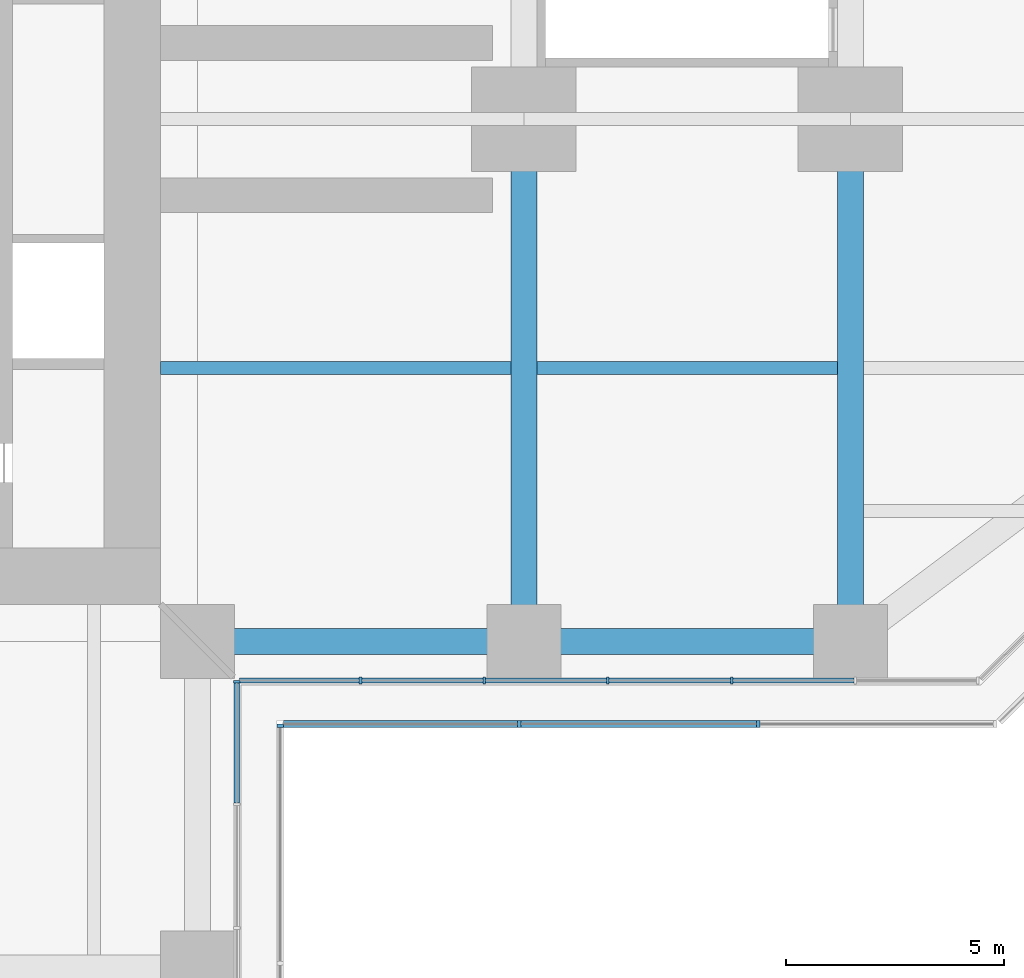
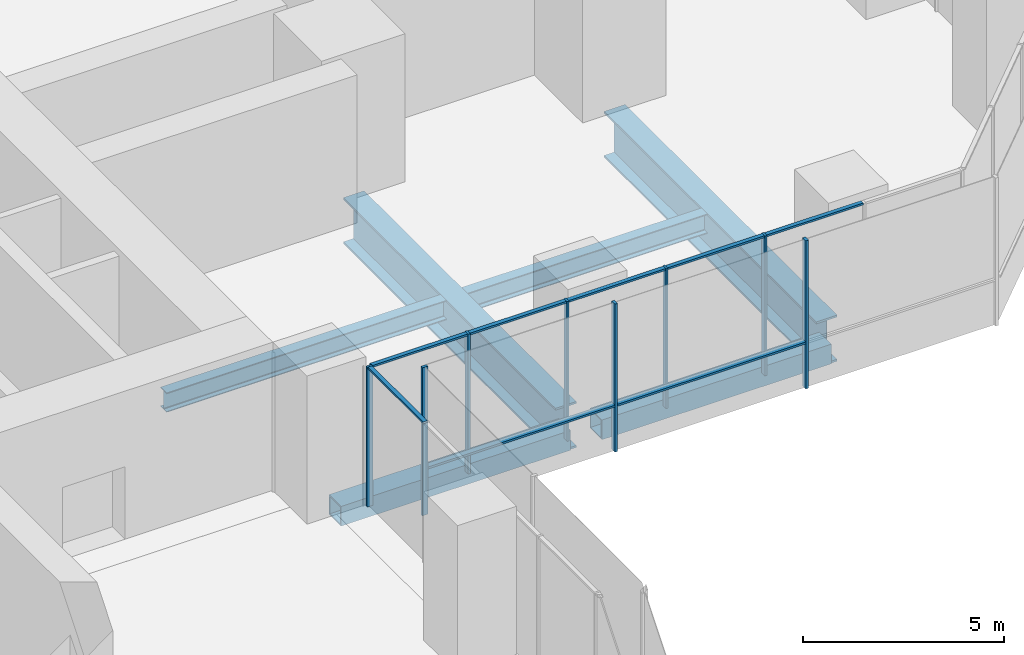
# One storey, part 6 of 21: 16 members, 6 beams, 4 elements without a shape of their own.
"""IFC4 building model written with IfcOpenShell, lengths in metres."""

from ifc_helpers import new_model, si_unit, direction, frame, origin, origin_2d, place, context, subcontext, project, spatial, rectangle, hollow_rectangle, i_section, extrude, material, material_profile, profile_set, type_object, element, aggregate, save


model = new_model("IFC4")

# Units and contexts
model_context = context("Model", 3, precision=1e-05, world=origin(), true_north=direction((0.0, 1.0)))
body_context = subcontext(model_context, "Body", "Model", "MODEL_VIEW")
ifc_project = project(units=[si_unit("LENGTHUNIT", "METRE"), si_unit("AREAUNIT", "SQUARE_METRE"), si_unit("VOLUMEUNIT", "CUBIC_METRE"), si_unit("PLANEANGLEUNIT", "RADIAN"), si_unit("MASSUNIT", "GRAM", prefix="KILO")], contexts=[model_context])

# Site, building, storey
site_placement = place(None, origin())
site = spatial("IfcSite", under=ifc_project, at=site_placement, CompositionType="ELEMENT")
building_placement = place(site_placement, origin())
building = spatial("IfcBuilding", under=site, at=building_placement, Name="Mizan Broadcast Tower", CompositionType="ELEMENT")
storey_placement = place(building_placement, frame((0.0, 0.0, 33.0)))
storey = spatial("IfcBuildingStorey", under=building, at=storey_placement, Name="L05", CompositionType="ELEMENT", Elevation=33.0)

# Beams
ifc_material_1 = material(Name="Steel S355", Category="steel")
ifc_material_profile_1 = material_profile(ifc_material_1, hollow_rectangle(XDim=0.60009765625, YDim=0.60009765625, WallThickness=0.0400390625, at=origin_2d()), Name="BOX 600x600x40")
ifc_profile_set_1 = profile_set([ifc_material_profile_1], Name="Steel S355")
beam_type_1 = type_object("IfcBeamType", Name="EDGE BEAM BOX 600x600x40", PredefinedType="SPANDREL", material=ifc_profile_set_1)
for number, where, z_axis, x_axis, name in (
    (1, (12.449951171875, -12.0, -0.550048828125), (1.0, 0.0, 0.0), (0.0, 1.0, 0.0), "Edge beam BOX 600x600x40 L05 east arm"),
    (2, (19.949951171875, -12.0, -0.550048828125), (1.0, 0.0, 0.0), (0.0, 1.0, 0.0), "Edge beam BOX 600x600x40 L05 east arm"),
):
    element("IfcBeam", number, at=place(storey_placement, frame(where, z_axis=z_axis, x_axis=x_axis)), inside=storey, type_object=beam_type_1, Name=name, PredefinedType="SPANDREL", context=body_context, shape_type="SweptSolid", body=[
        extrude(hollow_rectangle(XDim=0.60009765625, YDim=0.60009765625, WallThickness=0.0400390625, at=origin_2d()), origin(), (0.0, 0.0, 1.0), 6.60009765625),
    ])
ifc_material_2 = material(Name="Steel S460", Category="steel")
ifc_material_profile_2 = material_profile(ifc_material_2, i_section(OverallWidth=0.60009765625, OverallDepth=1.39990234375, WebThickness=0.02490234375, FlangeThickness=0.06005859375, at=origin_2d()), Name="WPG 1400x600")
ifc_profile_set_2 = profile_set([ifc_material_profile_2], Name="Steel S460")
beam_type_2 = type_object("IfcBeamType", Name="GIRDER WPG 1400x600", PredefinedType="BEAM", material=ifc_profile_set_2)
for number, where, z_axis, x_axis, name in (
    (3, (19.5, -11.280029296875, -0.949951171875), (0.0, 1.0, 0.0), (-1.0, 0.0, 0.0), "Girder WPG 1400x600 L05 east arm"),
    (4, (27.0, -11.280029296875, -0.949951171875), (0.0, 1.0, 0.0), (-1.0, 0.0, 0.0), "Girder WPG 1400x600 L05 east arm"),
):
    element("IfcBeam", number, at=place(storey_placement, frame(where, z_axis=z_axis, x_axis=x_axis)), inside=storey, type_object=beam_type_2, Name=name, PredefinedType="BEAM", context=body_context, shape_type="SweptSolid", body=[
        extrude(i_section(OverallWidth=0.60009765625, OverallDepth=1.39990234375, WebThickness=0.02490234375, FlangeThickness=0.06005859375, at=origin_2d()), origin(), (0.0, 0.0, 1.0), 10.56005859375),
    ])

# Curtain wall, members
ifc_material_3 = material(Name="Aluminium framed glazing", Category="aluminium")
curtain_wall_type_1 = type_object("IfcCurtainWallType", Name="PODIUM CURTAIN WALL", PredefinedType="USERDEFINED", material=ifc_material_3)
curtain_wall_1_placement = place(storey_placement, origin())
curtain_wall_1 = element("IfcCurtainWall", 5, at=curtain_wall_1_placement, inside=storey, type_object=curtain_wall_type_1, Name="Podium curtain wall L05 E side", ObjectType="PODIUM CURTAIN WALL", PredefinedType="USERDEFINED")
ifc_material_4 = material(Name="Aluminium, pale anodised", Category="aluminium")
ifc_material_profile_3 = material_profile(ifc_material_4, rectangle(XDim=0.159912109375, YDim=0.06005859375, at=origin_2d()), Name="MULLION 160x60")
ifc_profile_set_3 = profile_set([ifc_material_profile_3], Name="Aluminium, pale anodised")
member_type_1 = type_object("IfcMemberType", Name="INNER SKIN MULLION 60x160", PredefinedType="MULLION", material=ifc_profile_set_3)
member_1_placement = place(storey_placement, frame((15.7431640625, -12.89990234375, 0.0), z_axis=(0.0, 0.0, 1.0), x_axis=(0.0, 1.0, 0.0)))
member_1 = element("IfcMember", 6, at=member_1_placement, type_object=member_type_1, Name="Podium curtain wall L05 E side mullion 2", PredefinedType="MULLION", context=body_context, shape_type="SweptSolid", body=[
    extrude(rectangle(XDim=0.159912109375, YDim=0.06005859375, at=origin_2d()), origin(), (0.0, 0.0, 1.0), 4.25),
])
member_2_placement = place(storey_placement, frame((18.586181640625, -12.89990234375, 0.0), z_axis=(0.0, 0.0, 1.0), x_axis=(0.0, 1.0, 0.0)))
member_2 = element("IfcMember", 7, at=member_2_placement, type_object=member_type_1, Name="Podium curtain wall L05 E side mullion 3", PredefinedType="MULLION", context=body_context, shape_type="SweptSolid", body=[
    extrude(rectangle(XDim=0.159912109375, YDim=0.06005859375, at=origin_2d()), origin(), (0.0, 0.0, 1.0), 4.25),
])
member_3_placement = place(storey_placement, frame((21.42919921875, -12.89990234375, 0.0), z_axis=(0.0, 0.0, 1.0), x_axis=(0.0, 1.0, 0.0)))
member_3 = element("IfcMember", 8, at=member_3_placement, type_object=member_type_1, Name="Podium curtain wall L05 E side mullion 4", PredefinedType="MULLION", context=body_context, shape_type="SweptSolid", body=[
    extrude(rectangle(XDim=0.159912109375, YDim=0.06005859375, at=origin_2d()), origin(), (0.0, 0.0, 1.0), 4.25),
])
member_4_placement = place(storey_placement, frame((24.2724609375, -12.89990234375, 0.0), z_axis=(0.0, 0.0, 1.0), x_axis=(0.0, 1.0, 0.0)))
member_4 = element("IfcMember", 9, at=member_4_placement, type_object=member_type_1, Name="Podium curtain wall L05 E side mullion 5", PredefinedType="MULLION", context=body_context, shape_type="SweptSolid", body=[
    extrude(rectangle(XDim=0.159912109375, YDim=0.06005859375, at=origin_2d()), origin(), (0.0, 0.0, 1.0), 4.25),
])

# Curtain wall, member
curtain_wall_2_placement = place(storey_placement, origin())
curtain_wall_2 = element("IfcCurtainWall", 10, at=curtain_wall_2_placement, inside=storey, type_object=curtain_wall_type_1, Name="Podium curtain wall L05 S side", ObjectType="PODIUM CURTAIN WALL", PredefinedType="USERDEFINED")
member_5_placement = place(storey_placement, frame((12.89990234375, -12.929931640625, 0.0), z_axis=(0.0, 0.0, 1.0), x_axis=(-1.0, 0.0, 0.0)))
member_5 = element("IfcMember", 11, at=member_5_placement, type_object=member_type_1, Name="Podium curtain wall L05 S side mullion 7", PredefinedType="MULLION", context=body_context, shape_type="SweptSolid", body=[
    extrude(rectangle(XDim=0.159912109375, YDim=0.06005859375, at=origin_2d()), origin(), (0.0, 0.0, 1.0), 4.25),
])

# Member
ifc_material_5 = material(Name="Aluminium, pale anodised", Category="aluminium")
ifc_material_profile_4 = material_profile(ifc_material_5, rectangle(XDim=0.1201171875, YDim=0.06005859375, at=origin_2d()), Name="TRANSOM 120x60")
ifc_profile_set_4 = profile_set([ifc_material_profile_4], Name="Aluminium, pale anodised")
member_type_2 = type_object("IfcMemberType", Name="INNER SKIN TRANSOM 60x120", PredefinedType="USERDEFINED", material=ifc_profile_set_4)
member_6_placement = place(storey_placement, frame((12.9599609375, -12.89990234375, 4.219970703125), z_axis=(1.0, 0.0, 0.0), x_axis=(0.0, 1.0, 0.0)))
member_6 = element("IfcMember", 12, at=member_6_placement, type_object=member_type_2, Name="Podium curtain wall L05 E side transom 1.1", ObjectType="TRANSOM", PredefinedType="USERDEFINED", context=body_context, shape_type="SweptSolid", body=[
    extrude(rectangle(XDim=0.1201171875, YDim=0.06005859375, at=origin_2d()), origin(), (0.0, 0.0, 1.0), 2.753173828125),
])

member_7_placement = place(storey_placement, frame((15.773193359375, -12.89990234375, 4.219970703125), z_axis=(1.0, 0.0, 0.0), x_axis=(0.0, 1.0, 0.0)))
member_7 = element("IfcMember", 13, at=member_7_placement, type_object=member_type_2, Name="Podium curtain wall L05 E side transom 2.1", ObjectType="TRANSOM", PredefinedType="USERDEFINED", context=body_context, shape_type="SweptSolid", body=[
    extrude(rectangle(XDim=0.1201171875, YDim=0.06005859375, at=origin_2d()), origin(), (0.0, 0.0, 1.0), 2.782958984375),
])

member_8_placement = place(storey_placement, frame((18.6162109375, -12.89990234375, 4.219970703125), z_axis=(1.0, 0.0, 0.0), x_axis=(0.0, 1.0, 0.0)))
member_8 = element("IfcMember", 14, at=member_8_placement, type_object=member_type_2, Name="Podium curtain wall L05 E side transom 3.1", ObjectType="TRANSOM", PredefinedType="USERDEFINED", context=body_context, shape_type="SweptSolid", body=[
    extrude(rectangle(XDim=0.1201171875, YDim=0.06005859375, at=origin_2d()), origin(), (0.0, 0.0, 1.0), 2.782958984375),
])

member_9_placement = place(storey_placement, frame((21.459228515625, -12.89990234375, 4.219970703125), z_axis=(1.0, 0.0, 0.0), x_axis=(0.0, 1.0, 0.0)))
member_9 = element("IfcMember", 15, at=member_9_placement, type_object=member_type_2, Name="Podium curtain wall L05 E side transom 4.1", ObjectType="TRANSOM", PredefinedType="USERDEFINED", context=body_context, shape_type="SweptSolid", body=[
    extrude(rectangle(XDim=0.1201171875, YDim=0.06005859375, at=origin_2d()), origin(), (0.0, 0.0, 1.0), 2.783203125),
])

member_10_placement = place(storey_placement, frame((24.302490234375, -12.89990234375, 4.219970703125), z_axis=(1.0, 0.0, 0.0), x_axis=(0.0, 1.0, 0.0)))
member_10 = element("IfcMember", 16, at=member_10_placement, type_object=member_type_2, Name="Podium curtain wall L05 E side transom 5.1", ObjectType="TRANSOM", PredefinedType="USERDEFINED", context=body_context, shape_type="SweptSolid", body=[
    extrude(rectangle(XDim=0.1201171875, YDim=0.06005859375, at=origin_2d()), origin(), (0.0, 0.0, 1.0), 2.782958984375),
])

aggregate(curtain_wall_1, [member_1, member_2, member_3, member_4, member_6, member_7, member_8, member_9, member_10])

member_11_placement = place(storey_placement, frame((12.89990234375, -15.713134765625, 4.219970703125), z_axis=(0.0, 1.0, 0.0), x_axis=(-1.0, 0.0, 0.0)))
member_11 = element("IfcMember", 17, at=member_11_placement, type_object=member_type_2, Name="Podium curtain wall L05 S side transom 6.1", ObjectType="TRANSOM", PredefinedType="USERDEFINED", context=body_context, shape_type="SweptSolid", body=[
    extrude(rectangle(XDim=0.1201171875, YDim=0.06005859375, at=origin_2d()), origin(), (0.0, 0.0, 1.0), 2.753173828125),
])

aggregate(curtain_wall_2, [member_5, member_11])

# Curtain wall, members
ifc_material_6 = material(Name="Aluminium framed glazing", Category="aluminium")
curtain_wall_type_2 = type_object("IfcCurtainWallType", Name="OUTER SKIN", PredefinedType="USERDEFINED", material=ifc_material_6)
curtain_wall_3_placement = place(storey_placement, origin())
curtain_wall_3 = element("IfcCurtainWall", 18, at=curtain_wall_3_placement, inside=storey, type_object=curtain_wall_type_2, Name="Outer skin L05 E side", ObjectType="OUTER SKIN", PredefinedType="USERDEFINED")
ifc_material_7 = material(Name="Aluminium, pale anodised", Category="aluminium")
ifc_material_profile_5 = material_profile(ifc_material_7, rectangle(XDim=0.159912109375, YDim=0.080078125, at=origin_2d()), Name="MULLION 160x80")
ifc_profile_set_5 = profile_set([ifc_material_profile_5], Name="Aluminium, pale anodised")
member_type_3 = type_object("IfcMemberType", Name="OUTER SKIN MULLION 80x160", PredefinedType="MULLION", material=ifc_profile_set_5)
member_12_placement = place(storey_placement, frame((19.390869140625, -13.89990234375, 0.0), z_axis=(0.0, 0.0, 1.0), x_axis=(0.0, 1.0, 0.0)))
member_12 = element("IfcMember", 19, at=member_12_placement, type_object=member_type_3, Name="Outer skin L05 E side mullion 2", PredefinedType="MULLION", context=body_context, shape_type="SweptSolid", body=[
    extrude(rectangle(XDim=0.159912109375, YDim=0.080078125, at=origin_2d()), origin(), (0.0, 0.0, 1.0), 4.5),
])
member_13_placement = place(storey_placement, frame((24.8818359375, -13.89990234375, 0.0), z_axis=(0.0, 0.0, 1.0), x_axis=(0.0, 1.0, 0.0)))
member_13 = element("IfcMember", 20, at=member_13_placement, type_object=member_type_3, Name="Outer skin L05 E side mullion 3", PredefinedType="MULLION", context=body_context, shape_type="SweptSolid", body=[
    extrude(rectangle(XDim=0.159912109375, YDim=0.080078125, at=origin_2d()), origin(), (0.0, 0.0, 1.0), 4.5),
])

# Curtain wall, member
curtain_wall_4_placement = place(storey_placement, origin())
curtain_wall_4 = element("IfcCurtainWall", 21, at=curtain_wall_4_placement, inside=storey, type_object=curtain_wall_type_2, Name="Outer skin L05 S side", ObjectType="OUTER SKIN", PredefinedType="USERDEFINED")
member_14_placement = place(storey_placement, frame((13.89990234375, -13.93994140625, 0.0), z_axis=(0.0, 0.0, 1.0), x_axis=(-1.0, 0.0, 0.0)))
member_14 = element("IfcMember", 22, at=member_14_placement, type_object=member_type_3, Name="Outer skin L05 S side mullion 4", PredefinedType="MULLION", context=body_context, shape_type="SweptSolid", body=[
    extrude(rectangle(XDim=0.159912109375, YDim=0.080078125, at=origin_2d()), origin(), (0.0, 0.0, 1.0), 4.5),
])
aggregate(curtain_wall_4, [member_14])

# Member
ifc_material_8 = material(Name="Aluminium, pale anodised", Category="aluminium")
ifc_material_profile_6 = material_profile(ifc_material_8, rectangle(XDim=0.159912109375, YDim=0.06005859375, at=origin_2d()), Name="TRANSOM 160x60")
ifc_profile_set_6 = profile_set([ifc_material_profile_6], Name="Aluminium, pale anodised")
member_type_4 = type_object("IfcMemberType", Name="OUTER SKIN TRANSOM 60x160", PredefinedType="USERDEFINED", material=ifc_profile_set_6)
member_15_placement = place(storey_placement, frame((13.97998046875, -13.89990234375, 1.39990234375), z_axis=(1.0, 0.0, 0.0), x_axis=(0.0, 1.0, 0.0)))
member_15 = element("IfcMember", 23, at=member_15_placement, type_object=member_type_4, Name="Outer skin L05 E side transom 1.1", ObjectType="TRANSOM", PredefinedType="USERDEFINED", context=body_context, shape_type="SweptSolid", body=[
    extrude(rectangle(XDim=0.159912109375, YDim=0.06005859375, at=origin_2d()), origin(), (0.0, 0.0, 1.0), 5.370849609375),
])

member_16_placement = place(storey_placement, frame((19.430908203125, -13.89990234375, 1.39990234375), z_axis=(1.0, 0.0, 0.0), x_axis=(0.0, 1.0, 0.0)))
member_16 = element("IfcMember", 24, at=member_16_placement, type_object=member_type_4, Name="Outer skin L05 E side transom 2.1", ObjectType="TRANSOM", PredefinedType="USERDEFINED", context=body_context, shape_type="SweptSolid", body=[
    extrude(rectangle(XDim=0.159912109375, YDim=0.06005859375, at=origin_2d()), origin(), (0.0, 0.0, 1.0), 5.410888671875),
])

aggregate(curtain_wall_3, [member_12, member_13, member_15, member_16])

# Beams
ifc_material_9 = material(Name="Steel S355", Category="steel")
ifc_material_profile_7 = material_profile(ifc_material_9, i_section(OverallWidth=0.300048828125, OverallDepth=0.590087890625, WebThickness=0.012939453125, FlangeThickness=0.02490234375, FilletRadius=0.027099609375, at=origin_2d()), Name="HEA 600")
ifc_profile_set_7 = profile_set([ifc_material_profile_7], Name="Steel S355")
beam_type_3 = type_object("IfcBeamType", Name="SECONDARY BEAM HEA 600", PredefinedType="JOIST", material=ifc_profile_set_7)
beam_1_placement = place(storey_placement, frame((11.14990234375, -5.71435546875, -0.544921875), z_axis=(1.0, 0.0, 0.0), x_axis=(0.0, 1.0, 0.0)))
element("IfcBeam", 25, at=beam_1_placement, inside=storey, type_object=beam_type_3, Name="Secondary beam HEA 600 L05 east arm", PredefinedType="JOIST", context=body_context, shape_type="SweptSolid", body=[
    extrude(i_section(OverallWidth=0.300048828125, OverallDepth=0.590087890625, WebThickness=0.012939453125, FlangeThickness=0.02490234375, FilletRadius=0.027099609375, at=origin_2d()), origin(), (0.0, 0.0, 1.0), 8.050048828125),
])
beam_2_placement = place(storey_placement, frame((19.800048828125, -5.71435546875, -0.544921875), z_axis=(1.0, 0.0, 0.0), x_axis=(0.0, 1.0, 0.0)))
element("IfcBeam", 26, at=beam_2_placement, inside=storey, type_object=beam_type_3, Name="Secondary beam HEA 600 L05 east arm", PredefinedType="JOIST", context=body_context, shape_type="SweptSolid", body=[
    extrude(i_section(OverallWidth=0.300048828125, OverallDepth=0.590087890625, WebThickness=0.012939453125, FlangeThickness=0.02490234375, FilletRadius=0.027099609375, at=origin_2d()), origin(), (0.0, 0.0, 1.0), 6.89990234375),
])

save(model, "model.ifc")
